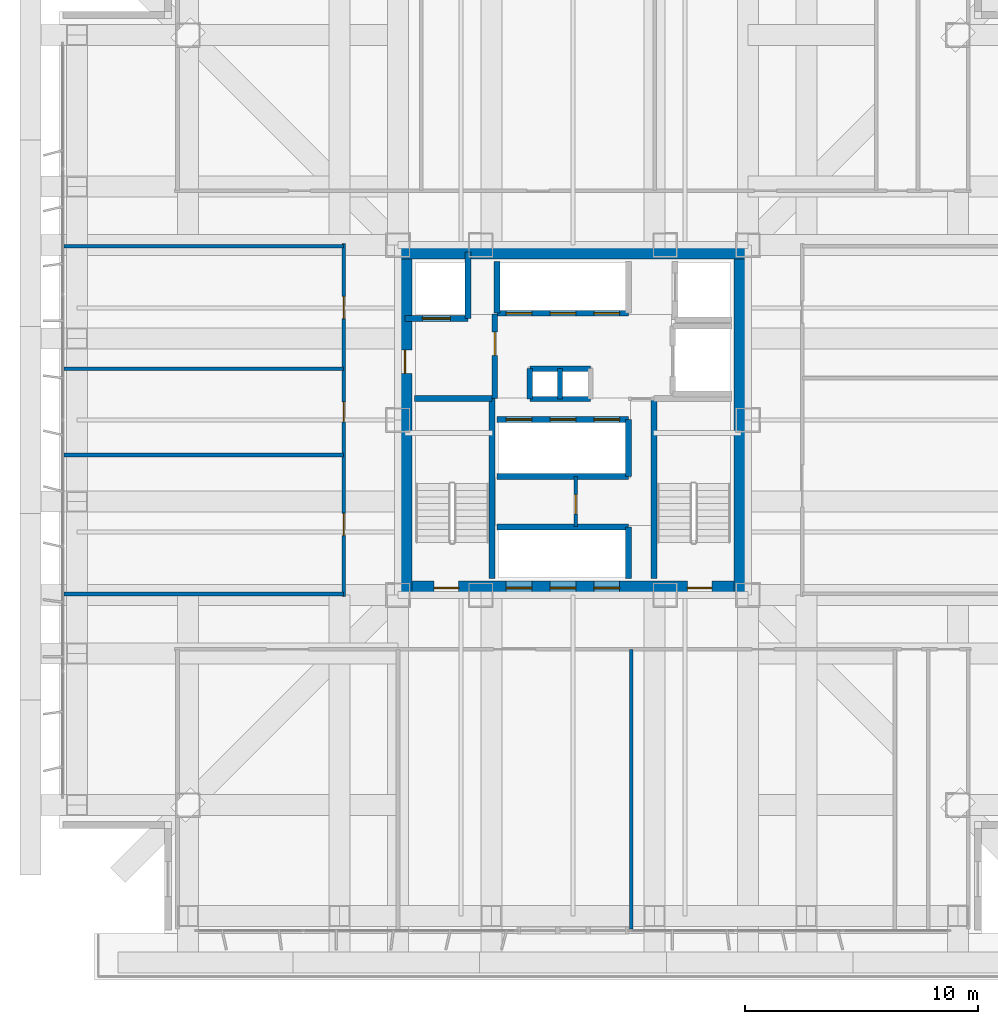
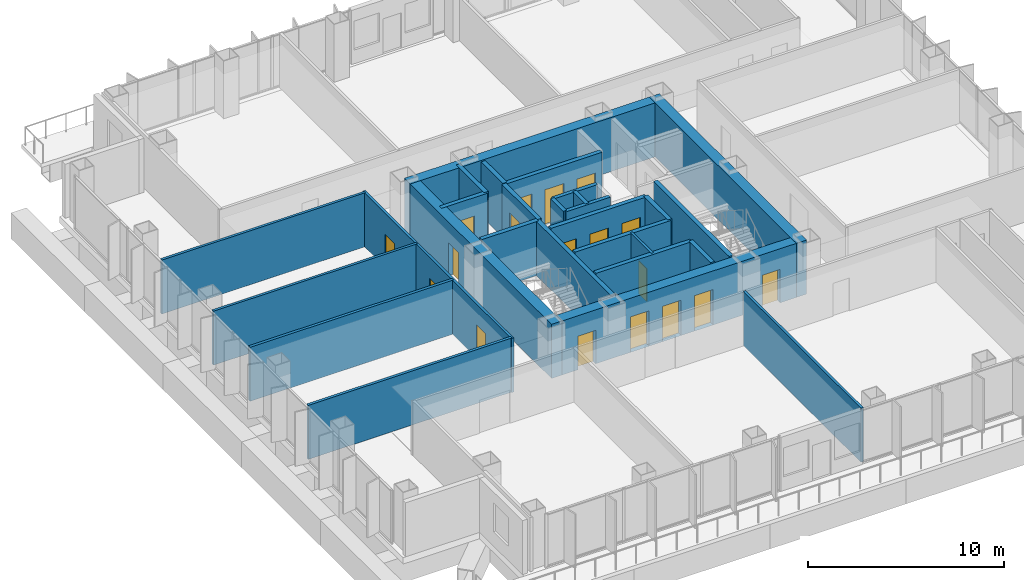
# One storey, part 12 of 17: 28 walls, 18 doors, 18 openings.
"""IFC4 building model written with IfcOpenShell, lengths in metres."""

from ifc_helpers import new_model, si_unit, direction, frame, frame_2d, origin, place, context, subcontext, project, spatial, rectangle, extrude, material, layer, layer_set, type_object, element, fill, save


model = new_model("IFC4")

# Units and contexts
model_context = context("Model", 3, precision=1e-05, world=origin(), true_north=direction((0.0, 1.0)))
body_context = subcontext(model_context, "Body", "Model", "MODEL_VIEW")
ifc_project = project(units=[si_unit("LENGTHUNIT", "METRE"), si_unit("AREAUNIT", "SQUARE_METRE"), si_unit("VOLUMEUNIT", "CUBIC_METRE"), si_unit("PLANEANGLEUNIT", "RADIAN"), si_unit("MASSUNIT", "GRAM", prefix="KILO")], contexts=[model_context])

# Site, building, storey
site_placement = place(None, origin())
site = spatial("IfcSite", under=ifc_project, at=site_placement, CompositionType="ELEMENT")
building_placement = place(site_placement, origin())
building = spatial("IfcBuilding", under=site, at=building_placement, Name="Trevonay Congress Spire", CompositionType="ELEMENT")
storey_placement = place(building_placement, frame((0.0, 0.0, 94.0)))
storey = spatial("IfcBuildingStorey", under=building, at=storey_placement, Name="L23", CompositionType="ELEMENT", Elevation=94.0)

# Wall, openings, doors
ifc_material_1 = material(Name="Concrete C60/75", Category="concrete")
ifc_layer_1 = layer(ifc_material_1, 0.60009765625, Name="Concrete C60/75")
ifc_layer_set_1 = layer_set([ifc_layer_1], Name="Concrete C60/75")
wall_type_1 = type_object("IfcWallType", Name="WAL-CORE-600", PredefinedType="SHEAR", material=ifc_layer_set_1)
wall_1_placement = place(storey_placement, frame((-7.5, -7.199951171875, 0.0), z_axis=(0.0, 0.0, 1.0), x_axis=(1.0, 0.0, 0.0)))
wall_1 = element("IfcWall", 1, at=wall_1_placement, inside=storey, type_object=wall_type_1, Name="L23 South structural core shear wall", PredefinedType="SHEAR", context=body_context, shape_type="SweptSolid", body=[
    extrude(rectangle(XDim=15.0, YDim=0.60009765625, at=frame_2d((7.5, 0.0))), origin(), (0.0, 0.0, 1.0), 3.360107421875),
])
opening_1_placement = place(wall_1_placement, frame((1.550048828125, 0.0, 0.0)))
opening_1 = element("IfcOpeningElement", 2, at=opening_1_placement, cuts=wall_1, Name="Opening D05", PredefinedType="OPENING", context=body_context, shape_type="SweptSolid", body=[
    extrude(rectangle(XDim=1.050048828125, YDim=2.080078125, at=frame_2d((0.52490234375, 1.0400390625))), frame((0.0, 0.31005859375, 0.0), z_axis=(0.0, -1.0, 0.0), x_axis=(1.0, 0.0, 0.0)), (0.0, 0.0, 1.0), 0.6201171875),
])
opening_2_placement = place(wall_1_placement, frame((12.39990234375, 0.0, 0.0)))
opening_2 = element("IfcOpeningElement", 3, at=opening_2_placement, cuts=wall_1, Name="Opening D05", PredefinedType="OPENING", context=body_context, shape_type="SweptSolid", body=[
    extrude(rectangle(XDim=1.050048828125, YDim=2.080078125, at=frame_2d((0.52490234375, 1.0400390625))), frame((0.0, 0.31005859375, 0.0), z_axis=(0.0, -1.0, 0.0), x_axis=(1.0, 0.0, 0.0)), (0.0, 0.0, 1.0), 0.6201171875),
])
opening_3_placement = place(wall_1_placement, frame((4.639892578125, 0.0, 0.0)))
opening_3 = element("IfcOpeningElement", 4, at=opening_3_placement, cuts=wall_1, Name="Opening LD01", PredefinedType="OPENING", context=body_context, shape_type="SweptSolid", body=[
    extrude(rectangle(XDim=1.10009765625, YDim=2.199951171875, at=frame_2d((0.550048828125, 1.10009765625))), frame((0.0, 0.31005859375, 0.0), z_axis=(0.0, -1.0, 0.0), x_axis=(1.0, 0.0, 0.0)), (0.0, 0.0, 1.0), 0.6201171875),
])
opening_4_placement = place(wall_1_placement, frame((6.52001953125, 0.0, 0.0)))
opening_4 = element("IfcOpeningElement", 5, at=opening_4_placement, cuts=wall_1, Name="Opening LD01", PredefinedType="OPENING", context=body_context, shape_type="SweptSolid", body=[
    extrude(rectangle(XDim=1.10009765625, YDim=2.199951171875, at=frame_2d((0.550048828125, 1.10009765625))), frame((0.0, 0.31005859375, 0.0), z_axis=(0.0, -1.0, 0.0), x_axis=(1.0, 0.0, 0.0)), (0.0, 0.0, 1.0), 0.6201171875),
])
opening_5_placement = place(wall_1_placement, frame((8.39990234375, 0.0, 0.0)))
opening_5 = element("IfcOpeningElement", 6, at=opening_5_placement, cuts=wall_1, Name="Opening LD01", PredefinedType="OPENING", context=body_context, shape_type="SweptSolid", body=[
    extrude(rectangle(XDim=1.10009765625, YDim=2.199951171875, at=frame_2d((0.550048828125, 1.10009765625))), frame((0.0, 0.31005859375, 0.0), z_axis=(0.0, -1.0, 0.0), x_axis=(1.0, 0.0, 0.0)), (0.0, 0.0, 1.0), 0.6201171875),
])
ifc_material_2 = material(Name="Pale Anodised Aluminium EN AW-6063-T6", Category="aluminium")
door_type_1 = type_object("IfcDoorType", Name="DOR-LIFT-LD01", OperationType="DOUBLE_DOOR_SLIDING", PredefinedType="DOOR", material=ifc_material_2)
door_1_placement = place(opening_3_placement, origin())
door_1 = element("IfcDoor", 7, at=door_1_placement, inside=storey, type_object=door_type_1, Name="L23 Passenger lift PL-01 landing door", OperationType="DOUBLE_DOOR_SLIDING", OverallHeight=2.199951171875, OverallWidth=1.10009765625, PredefinedType="DOOR", context=body_context, shape_type="SweptSolid", body=[
    extrude(rectangle(XDim=1.10009765625, YDim=2.199951171875, at=frame_2d((0.550048828125, 1.10009765625))), frame((0.0, 0.02490234375, 0.0), z_axis=(0.0, -1.0, 0.0), x_axis=(1.0, 0.0, 0.0)), (0.0, 0.0, 1.0), 0.050048828125),
])
fill(opening_3, door_1)
door_2_placement = place(opening_4_placement, origin())
door_2 = element("IfcDoor", 8, at=door_2_placement, inside=storey, type_object=door_type_1, Name="L23 Passenger lift PL-02 landing door", OperationType="DOUBLE_DOOR_SLIDING", OverallHeight=2.199951171875, OverallWidth=1.10009765625, PredefinedType="DOOR", context=body_context, shape_type="SweptSolid", body=[
    extrude(rectangle(XDim=1.10009765625, YDim=2.199951171875, at=frame_2d((0.550048828125, 1.10009765625))), frame((0.0, 0.02490234375, 0.0), z_axis=(0.0, -1.0, 0.0), x_axis=(1.0, 0.0, 0.0)), (0.0, 0.0, 1.0), 0.050048828125),
])
fill(opening_4, door_2)
door_3_placement = place(opening_5_placement, origin())
door_3 = element("IfcDoor", 9, at=door_3_placement, inside=storey, type_object=door_type_1, Name="L23 Passenger lift PL-03 landing door", OperationType="DOUBLE_DOOR_SLIDING", OverallHeight=2.199951171875, OverallWidth=1.10009765625, PredefinedType="DOOR", context=body_context, shape_type="SweptSolid", body=[
    extrude(rectangle(XDim=1.10009765625, YDim=2.199951171875, at=frame_2d((0.550048828125, 1.10009765625))), frame((0.0, 0.02490234375, 0.0), z_axis=(0.0, -1.0, 0.0), x_axis=(1.0, 0.0, 0.0)), (0.0, 0.0, 1.0), 0.050048828125),
])
fill(opening_5, door_3)
ifc_material_3 = material(Name="Steel ASTM A572 Grade 50", Category="steel")
door_type_2 = type_object("IfcDoorType", Name="DOR-STAIR-110", OperationType="NOTDEFINED", PredefinedType="DOOR", material=ifc_material_3)
door_4_placement = place(opening_1_placement, origin())
door_4 = element("IfcDoor", 10, at=door_4_placement, inside=storey, type_object=door_type_2, Name="L23 Protected Stair ST-1 Door", OperationType="SINGLE_SWING_LEFT", OverallHeight=2.080078125, OverallWidth=1.050048828125, PredefinedType="DOOR", context=body_context, shape_type="SweptSolid", body=[
    extrude(rectangle(XDim=1.050048828125, YDim=2.080078125, at=frame_2d((0.52490234375, 1.0400390625))), frame((0.0, 0.02490234375, 0.0), z_axis=(0.0, -1.0, 0.0), x_axis=(1.0, 0.0, 0.0)), (0.0, 0.0, 1.0), 0.050048828125),
])
fill(opening_1, door_4)
door_5_placement = place(opening_2_placement, origin())
door_5 = element("IfcDoor", 11, at=door_5_placement, inside=storey, type_object=door_type_2, Name="L23 Protected Stair ST-2 Door", OperationType="SINGLE_SWING_RIGHT", OverallHeight=2.080078125, OverallWidth=1.050048828125, PredefinedType="DOOR", context=body_context, shape_type="SweptSolid", body=[
    extrude(rectangle(XDim=1.050048828125, YDim=2.080078125, at=frame_2d((0.52490234375, 1.0400390625))), frame((0.0, 0.02490234375, 0.0), z_axis=(0.0, -1.0, 0.0), x_axis=(1.0, 0.0, 0.0)), (0.0, 0.0, 1.0), 0.050048828125),
])
fill(opening_2, door_5)

# Wall
wall_2_placement = place(storey_placement, frame((-7.5, 7.199951171875, 0.0), z_axis=(0.0, 0.0, 1.0), x_axis=(1.0, 0.0, 0.0)))
element("IfcWall", 12, at=wall_2_placement, inside=storey, type_object=wall_type_1, Name="L23 North structural core shear wall", PredefinedType="SHEAR", context=body_context, shape_type="SweptSolid", body=[
    extrude(rectangle(XDim=15.0, YDim=0.60009765625, at=frame_2d((7.5, 0.0))), origin(), (0.0, 0.0, 1.0), 3.360107421875),
])

# Wall, opening, door
wall_3_placement = place(storey_placement, frame((-7.199951171875, -7.5, 0.0), z_axis=(0.0, 0.0, 1.0), x_axis=(0.0, 1.0, 0.0)))
wall_3 = element("IfcWall", 13, at=wall_3_placement, inside=storey, type_object=wall_type_1, Name="L23 West structural core shear wall", PredefinedType="SHEAR", context=body_context, shape_type="SweptSolid", body=[
    extrude(rectangle(XDim=15.0, YDim=0.60009765625, at=frame_2d((7.5, 0.0))), origin(), (0.0, 0.0, 1.0), 3.360107421875),
])
opening_6_placement = place(wall_3_placement, frame((9.5, 0.0, 0.0)))
opening_6 = element("IfcOpeningElement", 14, at=opening_6_placement, cuts=wall_3, Name="Opening D06", PredefinedType="OPENING", context=body_context, shape_type="SweptSolid", body=[
    extrude(rectangle(XDim=1.0, YDim=2.080078125, at=frame_2d((0.5, 1.0400390625))), frame((0.0, 0.31005859375, 0.0), z_axis=(0.0, -1.0, 0.0), x_axis=(1.0, 0.0, 0.0)), (0.0, 0.0, 1.0), 0.6201171875),
])
door_type_3 = type_object("IfcDoorType", Name="DOR-FIRE-100", OperationType="NOTDEFINED", PredefinedType="DOOR", material=ifc_material_3)
door_6_placement = place(opening_6_placement, origin())
door_6 = element("IfcDoor", 15, at=door_6_placement, inside=storey, type_object=door_type_3, Name="L23 Firefighting Lift Lobby West Corridor Door", OperationType="SINGLE_SWING_LEFT", OverallHeight=2.080078125, OverallWidth=1.0, PredefinedType="DOOR", context=body_context, shape_type="SweptSolid", body=[
    extrude(rectangle(XDim=1.0, YDim=2.080078125, at=frame_2d((0.5, 1.0400390625))), frame((0.0, 0.02490234375, 0.0), z_axis=(0.0, -1.0, 0.0), x_axis=(1.0, 0.0, 0.0)), (0.0, 0.0, 1.0), 0.050048828125),
])
fill(opening_6, door_6)

# Wall
wall_4_placement = place(storey_placement, frame((7.199951171875, -7.5, 0.0), z_axis=(0.0, 0.0, 1.0), x_axis=(0.0, 1.0, 0.0)))
element("IfcWall", 16, at=wall_4_placement, inside=storey, type_object=wall_type_1, Name="L23 East structural core shear wall", PredefinedType="SHEAR", context=body_context, shape_type="SweptSolid", body=[
    extrude(rectangle(XDim=15.0, YDim=0.60009765625, at=frame_2d((7.5, 0.0))), origin(), (0.0, 0.0, 1.0), 3.360107421875),
])

# Wall, openings, doors
ifc_material_4 = material(Name="Concrete C40/50", Category="concrete")
ifc_layer_2 = layer(ifc_material_4, 0.14990234375, Name="Concrete C40/50")
ifc_layer_set_2 = layer_set([ifc_layer_2], Name="Concrete C40/50")
wall_type_2 = type_object("IfcWallType", Name="WAL-CORR-150", PredefinedType="PARTITIONING", material=ifc_layer_set_2)
wall_5_placement = place(storey_placement, frame((-9.830078125, -7.570068359375, 0.0), z_axis=(0.0, 0.0, 1.0), x_axis=(0.0, 1.0, 0.0)))
wall_5 = element("IfcWall", 17, at=wall_5_placement, inside=storey, type_object=wall_type_2, Name="L23 interior wall WP-L23W-COR", PredefinedType="PARTITIONING", context=body_context, shape_type="SweptSolid", body=[
    extrude(rectangle(XDim=15.14013671875, YDim=0.14990234375, at=frame_2d((7.570068359375, 0.0))), origin(), (0.0, 0.0, 1.0), 3.360107421875),
])
opening_7_placement = place(wall_5_placement, frame((2.6201171875, 0.0, 0.0)))
opening_7 = element("IfcOpeningElement", 18, at=opening_7_placement, cuts=wall_5, Name="Opening D07", PredefinedType="OPENING", context=body_context, shape_type="SweptSolid", body=[
    extrude(rectangle(XDim=0.949951171875, YDim=2.06005859375, at=frame_2d((0.47509765625, 1.030029296875))), frame((0.0, 0.0849609375, 0.0), z_axis=(0.0, -1.0, 0.0), x_axis=(1.0, 0.0, 0.0)), (0.0, 0.0, 1.0), 0.169921875),
])
opening_8_placement = place(wall_5_placement, frame((7.4951171875, 0.0, 0.0)))
opening_8 = element("IfcOpeningElement", 19, at=opening_8_placement, cuts=wall_5, Name="Opening D10", PredefinedType="OPENING", context=body_context, shape_type="SweptSolid", body=[
    extrude(rectangle(XDim=0.85009765625, YDim=2.050048828125, at=frame_2d((0.425048828125, 1.02490234375))), frame((0.0, 0.0849609375, 0.0), z_axis=(0.0, -1.0, 0.0), x_axis=(1.0, 0.0, 0.0)), (0.0, 0.0, 1.0), 0.169921875),
])
opening_9_placement = place(wall_5_placement, frame((11.919921875, 0.0, 0.0)))
opening_9 = element("IfcOpeningElement", 20, at=opening_9_placement, cuts=wall_5, Name="Opening D07", PredefinedType="OPENING", context=body_context, shape_type="SweptSolid", body=[
    extrude(rectangle(XDim=0.949951171875, YDim=2.06005859375, at=frame_2d((0.47509765625, 1.030029296875))), frame((0.0, 0.0849609375, 0.0), z_axis=(0.0, -1.0, 0.0), x_axis=(1.0, 0.0, 0.0)), (0.0, 0.0, 1.0), 0.169921875),
])
door_type_4 = type_object("IfcDoorType", Name="DOR-OFFICE-95", OperationType="NOTDEFINED", PredefinedType="DOOR", material=ifc_material_2)
door_7_placement = place(opening_7_placement, origin())
door_7 = element("IfcDoor", 21, at=door_7_placement, inside=storey, type_object=door_type_4, Name="L23 Accreditation Desk Hall Door", OperationType="SINGLE_SWING_LEFT", OverallHeight=2.06005859375, OverallWidth=0.949951171875, PredefinedType="DOOR", context=body_context, shape_type="SweptSolid", body=[
    extrude(rectangle(XDim=0.949951171875, YDim=2.06005859375, at=frame_2d((0.47509765625, 1.030029296875))), frame((0.0, 0.02490234375, 0.0), z_axis=(0.0, -1.0, 0.0), x_axis=(1.0, 0.0, 0.0)), (0.0, 0.0, 1.0), 0.050048828125),
])
fill(opening_7, door_7)
door_8_placement = place(opening_9_placement, origin())
door_8 = element("IfcDoor", 22, at=door_8_placement, inside=storey, type_object=door_type_4, Name="L23 Luggage Room Door", OperationType="SINGLE_SWING_LEFT", OverallHeight=2.06005859375, OverallWidth=0.949951171875, PredefinedType="DOOR", context=body_context, shape_type="SweptSolid", body=[
    extrude(rectangle(XDim=0.949951171875, YDim=2.06005859375, at=frame_2d((0.47509765625, 1.030029296875))), frame((0.0, 0.02490234375, 0.0), z_axis=(0.0, -1.0, 0.0), x_axis=(1.0, 0.0, 0.0)), (0.0, 0.0, 1.0), 0.050048828125),
])
fill(opening_9, door_8)
door_type_5 = type_object("IfcDoorType", Name="DOR-WC-85", OperationType="NOTDEFINED", PredefinedType="DOOR", material=ifc_material_2)
door_9_placement = place(opening_8_placement, origin())
door_9 = element("IfcDoor", 23, at=door_9_placement, inside=storey, type_object=door_type_5, Name="L23 Male Restroom WC Door", OperationType="SINGLE_SWING_RIGHT", OverallHeight=2.050048828125, OverallWidth=0.85009765625, PredefinedType="DOOR", context=body_context, shape_type="SweptSolid", body=[
    extrude(rectangle(XDim=0.85009765625, YDim=2.050048828125, at=frame_2d((0.425048828125, 1.02490234375))), frame((0.0, 0.02490234375, 0.0), z_axis=(0.0, -1.0, 0.0), x_axis=(1.0, 0.0, 0.0)), (0.0, 0.0, 1.0), 0.050048828125),
])
fill(opening_8, door_9)

# Wall, opening, door
ifc_layer_3 = layer(ifc_material_4, 0.14990234375, Name="Concrete C40/50")
ifc_layer_set_3 = layer_set([ifc_layer_3], Name="Concrete C40/50")
wall_type_3 = type_object("IfcWallType", Name="WAL-PART-150", PredefinedType="PARTITIONING", material=ifc_layer_set_3)
wall_6_placement = place(storey_placement, frame((0.1201171875, -4.570068359375, 0.0), z_axis=(0.0, 0.0, 1.0), x_axis=(0.0, 1.0, 0.0)))
wall_6 = element("IfcWall", 24, at=wall_6_placement, inside=storey, type_object=wall_type_3, Name="L23 interior wall CW-K1-L23", PredefinedType="PARTITIONING", context=body_context, shape_type="SweptSolid", body=[
    extrude(rectangle(XDim=2.14013671875, YDim=0.14990234375, at=frame_2d((1.070068359375, 0.0))), origin(), (0.0, 0.0, 1.0), 3.360107421875),
])
opening_10_placement = place(wall_6_placement, frame((0.550048828125, 0.0, 0.0)))
opening_10 = element("IfcOpeningElement", 25, at=opening_10_placement, cuts=wall_6, Name="Opening D13", PredefinedType="OPENING", context=body_context, shape_type="SweptSolid", body=[
    extrude(rectangle(XDim=0.820068359375, YDim=2.050048828125, at=frame_2d((0.41015625, 1.02490234375))), frame((0.0, 0.0849609375, 0.0), z_axis=(0.0, -1.0, 0.0), x_axis=(1.0, 0.0, 0.0)), (0.0, 0.0, 1.0), 0.169921875),
])
door_type_6 = type_object("IfcDoorType", Name="DOR-UTIL-80", OperationType="NOTDEFINED", PredefinedType="DOOR", material=ifc_material_3)
door_10_placement = place(opening_10_placement, origin())
door_10 = element("IfcDoor", 26, at=door_10_placement, inside=storey, type_object=door_type_6, Name="L23 Core Closet Door", OperationType="SINGLE_SWING_RIGHT", OverallHeight=2.050048828125, OverallWidth=0.820068359375, PredefinedType="DOOR", context=body_context, shape_type="SweptSolid", body=[
    extrude(rectangle(XDim=0.820068359375, YDim=2.050048828125, at=frame_2d((0.41015625, 1.02490234375))), frame((0.0, 0.02490234375, 0.0), z_axis=(0.0, -1.0, 0.0), x_axis=(1.0, 0.0, 0.0)), (0.0, 0.0, 1.0), 0.050048828125),
])
fill(opening_10, door_10)

# Walls
for number, where, z_axis, x_axis, name in (
    (27, (2.5, -21.820068359375, 0.0), (0.0, 0.0, 1.0), (0.0, 1.0, 0.0), "L23 interior wall WP-L23S-DIV3"),
    (28, (-21.820068359375, 2.199951171875, 0.0), (0.0, 0.0, 1.0), (1.0, 0.0, 0.0), "L23 interior wall WP-L23W-DIV3"),
    (29, (-21.820068359375, 7.449951171875, 0.0), (0.0, 0.0, 1.0), (1.0, 0.0, 0.0), "L23 interior wall WP-L23W-DIV4"),
):
    element("IfcWall", number, at=place(storey_placement, frame(where, z_axis=z_axis, x_axis=x_axis)), inside=storey, type_object=wall_type_3, Name=name, PredefinedType="PARTITIONING", context=body_context, shape_type="SweptSolid", body=[
        extrude(rectangle(XDim=11.989990234375, YDim=0.14990234375, at=frame_2d((5.9951171875, 0.0))), origin(), (0.0, 0.0, 1.0), 3.360107421875),
    ])
ifc_layer_4 = layer(ifc_material_4, 0.219970703125, Name="Concrete C40/50")
ifc_layer_set_4 = layer_set([ifc_layer_4], Name="Concrete C40/50")
wall_type_4 = type_object("IfcWallType", Name="WAL-SHAFT-220", PredefinedType="PARTITIONING", material=ifc_layer_set_4)
for number, where, z_axis, x_axis, name in (
    (30, (-1.85009765625, 2.199951171875, 0.0), (0.0, 0.0, 1.0), (1.0, 0.0, 0.0), "L23 interior shaft wall WSH-L23-RSR-N"),
    (31, (-1.85009765625, 0.89990234375, 0.0), (0.0, 0.0, 1.0), (1.0, 0.0, 0.0), "L23 interior shaft wall WSH-L23-RSR-S"),
):
    element("IfcWall", number, at=place(storey_placement, frame(where, z_axis=z_axis, x_axis=x_axis)), inside=storey, type_object=wall_type_4, Name=name, PredefinedType="PARTITIONING", context=body_context, shape_type="SweptSolid", body=[
        extrude(rectangle(XDim=2.60009765625, YDim=0.219970703125, at=frame_2d((1.300048828125, 0.0))), origin(), (0.0, 0.0, 1.0), 3.360107421875),
    ])
for number, where, z_axis, x_axis, name in (
    (32, (-0.550048828125, 0.89990234375, 0.0), (0.0, 0.0, 1.0), (0.0, 1.0, 0.0), "L23 interior shaft wall WSH-L23-RSR-M"),
    (33, (-1.85009765625, 0.89990234375, 0.0), (0.0, 0.0, 1.0), (0.0, 1.0, 0.0), "L23 interior shaft wall WSH-L23-RSR-W"),
):
    element("IfcWall", number, at=place(storey_placement, frame(where, z_axis=z_axis, x_axis=x_axis)), inside=storey, type_object=wall_type_4, Name=name, PredefinedType="PARTITIONING", context=body_context, shape_type="SweptSolid", body=[
        extrude(rectangle(XDim=1.300048828125, YDim=0.219970703125, at=frame_2d((0.64990234375, 0.0))), origin(), (0.0, 0.0, 1.0), 3.360107421875),
    ])
ifc_layer_5 = layer(ifc_material_4, 0.25, Name="Concrete C40/50")
ifc_layer_set_5 = layer_set([ifc_layer_5], Name="Concrete C40/50")
wall_type_5 = type_object("IfcWallType", Name="WAL-SHAFT-250", PredefinedType="SHEAR", material=ifc_layer_set_5)
wall_7_placement = place(storey_placement, frame((-3.260009765625, -4.580078125, 0.0), z_axis=(0.0, 0.0, 1.0), x_axis=(1.0, 0.0, 0.0)))
element("IfcWall", 34, at=wall_7_placement, inside=storey, type_object=wall_type_5, Name="L23 interior shaft wall WSH-L23-B1-N", PredefinedType="SHEAR", context=body_context, shape_type="SweptSolid", body=[
    extrude(rectangle(XDim=5.639892578125, YDim=0.25, at=frame_2d((2.81982421875, 0.0))), origin(), (0.0, 0.0, 1.0), 3.360107421875),
])
wall_8_placement = place(storey_placement, frame((2.3798828125, -6.800048828125, 0.0), z_axis=(0.0, 0.0, 1.0), x_axis=(0.0, 1.0, 0.0)))
element("IfcWall", 35, at=wall_8_placement, inside=storey, type_object=wall_type_5, Name="L23 interior shaft wall WSH-L23-B1-E", PredefinedType="SHEAR", context=body_context, shape_type="SweptSolid", body=[
    extrude(rectangle(XDim=2.219970703125, YDim=0.25, at=frame_2d((1.10986328125, 0.0))), origin(), (0.0, 0.0, 1.0), 3.360107421875),
])

# Wall, openings, doors
wall_9_placement = place(storey_placement, frame((-3.260009765625, 0.02001953125, 0.0), z_axis=(0.0, 0.0, 1.0), x_axis=(1.0, 0.0, 0.0)))
wall_9 = element("IfcWall", 36, at=wall_9_placement, inside=storey, type_object=wall_type_5, Name="L23 interior shaft wall WSH-L23-B2-N", PredefinedType="SHEAR", context=body_context, shape_type="SweptSolid", body=[
    extrude(rectangle(XDim=5.639892578125, YDim=0.25, at=frame_2d((2.81982421875, 0.0))), origin(), (0.0, 0.0, 1.0), 3.360107421875),
])
opening_11_placement = place(wall_9_placement, frame((0.39990234375, 0.0, 0.0)))
opening_11 = element("IfcOpeningElement", 37, at=opening_11_placement, cuts=wall_9, Name="Opening LD02", PredefinedType="OPENING", context=body_context, shape_type="SweptSolid", body=[
    extrude(rectangle(XDim=1.10009765625, YDim=2.199951171875, at=frame_2d((0.550048828125, 1.10009765625))), frame((0.0, 0.135009765625, 0.0), z_axis=(0.0, -1.0, 0.0), x_axis=(1.0, 0.0, 0.0)), (0.0, 0.0, 1.0), 0.27001953125),
])
opening_12_placement = place(wall_9_placement, frame((2.280029296875, 0.0, 0.0)))
opening_12 = element("IfcOpeningElement", 38, at=opening_12_placement, cuts=wall_9, Name="Opening LD02", PredefinedType="OPENING", context=body_context, shape_type="SweptSolid", body=[
    extrude(rectangle(XDim=1.10009765625, YDim=2.199951171875, at=frame_2d((0.550048828125, 1.10009765625))), frame((0.0, 0.135009765625, 0.0), z_axis=(0.0, -1.0, 0.0), x_axis=(1.0, 0.0, 0.0)), (0.0, 0.0, 1.0), 0.27001953125),
])
opening_13_placement = place(wall_9_placement, frame((4.159912109375, 0.0, 0.0)))
opening_13 = element("IfcOpeningElement", 39, at=opening_13_placement, cuts=wall_9, Name="Opening LD02", PredefinedType="OPENING", context=body_context, shape_type="SweptSolid", body=[
    extrude(rectangle(XDim=1.10009765625, YDim=2.199951171875, at=frame_2d((0.550048828125, 1.10009765625))), frame((0.0, 0.135009765625, 0.0), z_axis=(0.0, -1.0, 0.0), x_axis=(1.0, 0.0, 0.0)), (0.0, 0.0, 1.0), 0.27001953125),
])
door_type_7 = type_object("IfcDoorType", Name="DOR-LIFT-LD02", OperationType="DOUBLE_DOOR_SLIDING", PredefinedType="DOOR", material=ifc_material_2)
door_11_placement = place(opening_11_placement, origin())
door_11 = element("IfcDoor", 40, at=door_11_placement, inside=storey, type_object=door_type_7, Name="L23 Passenger lift PL-04 landing door", OperationType="DOUBLE_DOOR_SLIDING", OverallHeight=2.199951171875, OverallWidth=1.10009765625, PredefinedType="DOOR", context=body_context, shape_type="SweptSolid", body=[
    extrude(rectangle(XDim=1.10009765625, YDim=2.199951171875, at=frame_2d((0.550048828125, 1.10009765625))), frame((0.0, 0.02490234375, 0.0), z_axis=(0.0, -1.0, 0.0), x_axis=(1.0, 0.0, 0.0)), (0.0, 0.0, 1.0), 0.050048828125),
])
fill(opening_11, door_11)
door_12_placement = place(opening_12_placement, origin())
door_12 = element("IfcDoor", 41, at=door_12_placement, inside=storey, type_object=door_type_7, Name="L23 Passenger lift PL-05 landing door", OperationType="DOUBLE_DOOR_SLIDING", OverallHeight=2.199951171875, OverallWidth=1.10009765625, PredefinedType="DOOR", context=body_context, shape_type="SweptSolid", body=[
    extrude(rectangle(XDim=1.10009765625, YDim=2.199951171875, at=frame_2d((0.550048828125, 1.10009765625))), frame((0.0, 0.02490234375, 0.0), z_axis=(0.0, -1.0, 0.0), x_axis=(1.0, 0.0, 0.0)), (0.0, 0.0, 1.0), 0.050048828125),
])
fill(opening_12, door_12)
door_13_placement = place(opening_13_placement, origin())
door_13 = element("IfcDoor", 42, at=door_13_placement, inside=storey, type_object=door_type_7, Name="L23 Passenger lift PL-06 landing door", OperationType="DOUBLE_DOOR_SLIDING", OverallHeight=2.199951171875, OverallWidth=1.10009765625, PredefinedType="DOOR", context=body_context, shape_type="SweptSolid", body=[
    extrude(rectangle(XDim=1.10009765625, YDim=2.199951171875, at=frame_2d((0.550048828125, 1.10009765625))), frame((0.0, 0.02490234375, 0.0), z_axis=(0.0, -1.0, 0.0), x_axis=(1.0, 0.0, 0.0)), (0.0, 0.0, 1.0), 0.050048828125),
])
fill(opening_13, door_13)

# Walls
wall_10_placement = place(storey_placement, frame((-3.260009765625, -2.419921875, 0.0), z_axis=(0.0, 0.0, 1.0), x_axis=(1.0, 0.0, 0.0)))
element("IfcWall", 43, at=wall_10_placement, inside=storey, type_object=wall_type_5, Name="L23 interior shaft wall WSH-L23-B2-S", PredefinedType="SHEAR", context=body_context, shape_type="SweptSolid", body=[
    extrude(rectangle(XDim=5.639892578125, YDim=0.25, at=frame_2d((2.81982421875, 0.0))), origin(), (0.0, 0.0, 1.0), 3.360107421875),
])
wall_11_placement = place(storey_placement, frame((2.3798828125, -2.419921875, 0.0), z_axis=(0.0, 0.0, 1.0), x_axis=(0.0, 1.0, 0.0)))
element("IfcWall", 44, at=wall_11_placement, inside=storey, type_object=wall_type_5, Name="L23 interior shaft wall WSH-L23-B2-E", PredefinedType="SHEAR", context=body_context, shape_type="SweptSolid", body=[
    extrude(rectangle(XDim=2.43994140625, YDim=0.25, at=frame_2d((1.219970703125, 0.0))), origin(), (0.0, 0.0, 1.0), 3.360107421875),
])

# Wall, openings, doors
wall_12_placement = place(storey_placement, frame((-3.260009765625, 4.580078125, 0.0), z_axis=(0.0, 0.0, 1.0), x_axis=(1.0, 0.0, 0.0)))
wall_12 = element("IfcWall", 45, at=wall_12_placement, inside=storey, type_object=wall_type_5, Name="L23 interior shaft wall WSH-L23-B3-S", PredefinedType="SHEAR", context=body_context, shape_type="SweptSolid", body=[
    extrude(rectangle(XDim=5.639892578125, YDim=0.25, at=frame_2d((2.81982421875, 0.0))), origin(), (0.0, 0.0, 1.0), 3.360107421875),
])
opening_14_placement = place(wall_12_placement, frame((0.39990234375, 0.0, 0.0)))
opening_14 = element("IfcOpeningElement", 46, at=opening_14_placement, cuts=wall_12, Name="Opening LD03", PredefinedType="OPENING", context=body_context, shape_type="SweptSolid", body=[
    extrude(rectangle(XDim=1.10009765625, YDim=2.199951171875, at=frame_2d((0.550048828125, 1.10009765625))), frame((0.0, 0.135009765625, 0.0), z_axis=(0.0, -1.0, 0.0), x_axis=(1.0, 0.0, 0.0)), (0.0, 0.0, 1.0), 0.27001953125),
])
opening_15_placement = place(wall_12_placement, frame((2.280029296875, 0.0, 0.0)))
opening_15 = element("IfcOpeningElement", 47, at=opening_15_placement, cuts=wall_12, Name="Opening LD03", PredefinedType="OPENING", context=body_context, shape_type="SweptSolid", body=[
    extrude(rectangle(XDim=1.10009765625, YDim=2.199951171875, at=frame_2d((0.550048828125, 1.10009765625))), frame((0.0, 0.135009765625, 0.0), z_axis=(0.0, -1.0, 0.0), x_axis=(1.0, 0.0, 0.0)), (0.0, 0.0, 1.0), 0.27001953125),
])
opening_16_placement = place(wall_12_placement, frame((4.159912109375, 0.0, 0.0)))
opening_16 = element("IfcOpeningElement", 48, at=opening_16_placement, cuts=wall_12, Name="Opening LD03", PredefinedType="OPENING", context=body_context, shape_type="SweptSolid", body=[
    extrude(rectangle(XDim=1.10009765625, YDim=2.199951171875, at=frame_2d((0.550048828125, 1.10009765625))), frame((0.0, 0.135009765625, 0.0), z_axis=(0.0, -1.0, 0.0), x_axis=(1.0, 0.0, 0.0)), (0.0, 0.0, 1.0), 0.27001953125),
])
door_type_8 = type_object("IfcDoorType", Name="DOR-LIFT-LD03", OperationType="DOUBLE_DOOR_SLIDING", PredefinedType="DOOR", material=ifc_material_2)
door_14_placement = place(opening_14_placement, origin())
door_14 = element("IfcDoor", 49, at=door_14_placement, inside=storey, type_object=door_type_8, Name="L23 Passenger lift PL-07 landing door", OperationType="DOUBLE_DOOR_SLIDING", OverallHeight=2.199951171875, OverallWidth=1.10009765625, PredefinedType="DOOR", context=body_context, shape_type="SweptSolid", body=[
    extrude(rectangle(XDim=1.10009765625, YDim=2.199951171875, at=frame_2d((0.550048828125, 1.10009765625))), frame((0.0, 0.02490234375, 0.0), z_axis=(0.0, -1.0, 0.0), x_axis=(1.0, 0.0, 0.0)), (0.0, 0.0, 1.0), 0.050048828125),
])
fill(opening_14, door_14)
door_15_placement = place(opening_15_placement, origin())
door_15 = element("IfcDoor", 50, at=door_15_placement, inside=storey, type_object=door_type_8, Name="L23 Passenger lift PL-08 landing door", OperationType="DOUBLE_DOOR_SLIDING", OverallHeight=2.199951171875, OverallWidth=1.10009765625, PredefinedType="DOOR", context=body_context, shape_type="SweptSolid", body=[
    extrude(rectangle(XDim=1.10009765625, YDim=2.199951171875, at=frame_2d((0.550048828125, 1.10009765625))), frame((0.0, 0.02490234375, 0.0), z_axis=(0.0, -1.0, 0.0), x_axis=(1.0, 0.0, 0.0)), (0.0, 0.0, 1.0), 0.050048828125),
])
fill(opening_15, door_15)
door_16_placement = place(opening_16_placement, origin())
door_16 = element("IfcDoor", 51, at=door_16_placement, inside=storey, type_object=door_type_8, Name="L23 Passenger lift PL-09 landing door", OperationType="DOUBLE_DOOR_SLIDING", OverallHeight=2.199951171875, OverallWidth=1.10009765625, PredefinedType="DOOR", context=body_context, shape_type="SweptSolid", body=[
    extrude(rectangle(XDim=1.10009765625, YDim=2.199951171875, at=frame_2d((0.550048828125, 1.10009765625))), frame((0.0, 0.02490234375, 0.0), z_axis=(0.0, -1.0, 0.0), x_axis=(1.0, 0.0, 0.0)), (0.0, 0.0, 1.0), 0.050048828125),
])
fill(opening_16, door_16)

# Wall
wall_13_placement = place(storey_placement, frame((-3.260009765625, 4.580078125, 0.0), z_axis=(0.0, 0.0, 1.0), x_axis=(0.0, 1.0, 0.0)))
element("IfcWall", 52, at=wall_13_placement, inside=storey, type_object=wall_type_5, Name="L23 interior shaft wall WSH-L23-B3-W", PredefinedType="SHEAR", context=body_context, shape_type="SweptSolid", body=[
    extrude(rectangle(XDim=2.219970703125, YDim=0.25, at=frame_2d((1.10986328125, 0.0))), origin(), (0.0, 0.0, 1.0), 3.360107421875),
])

# Wall, opening, door
wall_14_placement = place(storey_placement, frame((-7.199951171875, 4.35009765625, 0.0), z_axis=(0.0, 0.0, 1.0), x_axis=(1.0, 0.0, 0.0)))
wall_14 = element("IfcWall", 53, at=wall_14_placement, inside=storey, type_object=wall_type_5, Name="L23 interior shaft wall WSH-L23-FF1-S", PredefinedType="SHEAR", context=body_context, shape_type="SweptSolid", body=[
    extrude(rectangle(XDim=2.699951171875, YDim=0.25, at=frame_2d((1.35009765625, 0.0))), origin(), (0.0, 0.0, 1.0), 3.360107421875),
])
opening_17_placement = place(wall_14_placement, frame((0.75, 0.0, 0.0)))
opening_17 = element("IfcOpeningElement", 54, at=opening_17_placement, cuts=wall_14, Name="Opening LD04", PredefinedType="OPENING", context=body_context, shape_type="SweptSolid", body=[
    extrude(rectangle(XDim=1.199951171875, YDim=2.199951171875, at=frame_2d((0.60009765625, 1.10009765625))), frame((0.0, 0.135009765625, 0.0), z_axis=(0.0, -1.0, 0.0), x_axis=(1.0, 0.0, 0.0)), (0.0, 0.0, 1.0), 0.27001953125),
])
door_type_9 = type_object("IfcDoorType", Name="DOR-LIFT-LD04", OperationType="DOUBLE_DOOR_SLIDING", PredefinedType="DOOR", material=ifc_material_3)
door_17_placement = place(opening_17_placement, origin())
door_17 = element("IfcDoor", 55, at=door_17_placement, inside=storey, type_object=door_type_9, Name="L23 Firefighting lift FFL-01 landing door", OperationType="DOUBLE_DOOR_SLIDING", OverallHeight=2.199951171875, OverallWidth=1.199951171875, PredefinedType="DOOR", context=body_context, shape_type="SweptSolid", body=[
    extrude(rectangle(XDim=1.199951171875, YDim=2.199951171875, at=frame_2d((0.60009765625, 1.10009765625))), frame((0.0, 0.02490234375, 0.0), z_axis=(0.0, -1.0, 0.0), x_axis=(1.0, 0.0, 0.0)), (0.0, 0.0, 1.0), 0.050048828125),
])
fill(opening_17, door_17)

# Wall
wall_15_placement = place(storey_placement, frame((-4.5, 4.35009765625, 0.0), z_axis=(0.0, 0.0, 1.0), x_axis=(0.0, 1.0, 0.0)))
element("IfcWall", 56, at=wall_15_placement, inside=storey, type_object=wall_type_5, Name="L23 interior shaft wall WSH-L23-FF1-E", PredefinedType="SHEAR", context=body_context, shape_type="SweptSolid", body=[
    extrude(rectangle(XDim=2.849853515625, YDim=0.25, at=frame_2d((1.4248046875, 0.0))), origin(), (0.0, 0.0, 1.0), 3.360107421875),
])

# Wall, opening, door
wall_16_placement = place(storey_placement, frame((-3.35009765625, 0.919921875, 0.0), z_axis=(0.0, 0.0, 1.0), x_axis=(0.0, 1.0, 0.0)))
wall_16 = element("IfcWall", 57, at=wall_16_placement, inside=storey, type_object=wall_type_5, Name="L23 interior wall CW-FFLW-E-L23", PredefinedType="SHEAR", context=body_context, shape_type="SweptSolid", body=[
    extrude(rectangle(XDim=3.6201171875, YDim=0.25, at=frame_2d((1.81005859375, 0.0))), origin(), (0.0, 0.0, 1.0), 3.360107421875),
])
opening_18_placement = place(wall_16_placement, frame((1.85009765625, 0.0, 0.0)))
opening_18 = element("IfcOpeningElement", 58, at=opening_18_placement, cuts=wall_16, Name="Opening D06", PredefinedType="OPENING", context=body_context, shape_type="SweptSolid", body=[
    extrude(rectangle(XDim=1.0, YDim=2.080078125, at=frame_2d((0.5, 1.0400390625))), frame((0.0, 0.135009765625, 0.0), z_axis=(0.0, -1.0, 0.0), x_axis=(1.0, 0.0, 0.0)), (0.0, 0.0, 1.0), 0.27001953125),
])
door_18_placement = place(opening_18_placement, origin())
door_18 = element("IfcDoor", 59, at=door_18_placement, inside=storey, type_object=door_type_3, Name="L23 Firefighting Core Lobby Transfer Door", OperationType="SINGLE_SWING_RIGHT", OverallHeight=2.080078125, OverallWidth=1.0, PredefinedType="DOOR", context=body_context, shape_type="SweptSolid", body=[
    extrude(rectangle(XDim=1.0, YDim=2.080078125, at=frame_2d((0.5, 1.0400390625))), frame((0.0, 0.02490234375, 0.0), z_axis=(0.0, -1.0, 0.0), x_axis=(1.0, 0.0, 0.0)), (0.0, 0.0, 1.0), 0.050048828125),
])
fill(opening_18, door_18)

# Walls
ifc_layer_6 = layer(ifc_material_4, 0.25, Name="Concrete C40/50")
ifc_layer_set_6 = layer_set([ifc_layer_6], Name="Concrete C40/50")
wall_type_6 = type_object("IfcWallType", Name="WAL-SHAFT-LB-250", PredefinedType="SHEAR", material=ifc_layer_set_6)
wall_17_placement = place(storey_placement, frame((-3.469970703125, -6.800048828125, 0.0), z_axis=(0.0, 0.0, 1.0), x_axis=(0.0, 1.0, 0.0)))
element("IfcWall", 60, at=wall_17_placement, inside=storey, type_object=wall_type_6, Name="L23 interior shaft wall WSH-L23-ST1-E", PredefinedType="SHEAR", context=body_context, shape_type="SweptSolid", body=[
    extrude(rectangle(XDim=7.719970703125, YDim=0.25, at=frame_2d((3.85986328125, 0.0))), origin(), (0.0, 0.0, 1.0), 3.360107421875),
])
wall_18_placement = place(storey_placement, frame((-6.800048828125, 0.919921875, 0.0), z_axis=(0.0, 0.0, 1.0), x_axis=(1.0, 0.0, 0.0)))
element("IfcWall", 61, at=wall_18_placement, inside=storey, type_object=wall_type_6, Name="L23 interior shaft wall WSH-L23-ST1-N", PredefinedType="SHEAR", context=body_context, shape_type="SweptSolid", body=[
    extrude(rectangle(XDim=3.330078125, YDim=0.25, at=frame_2d((1.6650390625, 0.0))), origin(), (0.0, 0.0, 1.0), 3.360107421875),
])
wall_19_placement = place(storey_placement, frame((3.469970703125, -6.800048828125, 0.0), z_axis=(0.0, 0.0, 1.0), x_axis=(0.0, 1.0, 0.0)))
element("IfcWall", 62, at=wall_19_placement, inside=storey, type_object=wall_type_6, Name="L23 interior shaft wall WSH-L23-ST2-W", PredefinedType="SHEAR", context=body_context, shape_type="SweptSolid", body=[
    extrude(rectangle(XDim=7.719970703125, YDim=0.25, at=frame_2d((3.85986328125, 0.0))), origin(), (0.0, 0.0, 1.0), 3.360107421875),
])
ifc_layer_7 = layer(ifc_material_4, 0.1650390625, Name="Concrete C40/50")
ifc_layer_set_7 = layer_set([ifc_layer_7], Name="Concrete C40/50")
wall_type_7 = type_object("IfcWallType", Name="WAL-WET-165", PredefinedType="PLUMBINGWALL", material=ifc_layer_set_7)
for number, where, z_axis, x_axis, name in (
    (63, (-21.820068359375, -7.449951171875, 0.0), (0.0, 0.0, 1.0), (1.0, 0.0, 0.0), "L23 interior wall WP-L23W-DIV1"),
    (64, (-21.820068359375, -1.5, 0.0), (0.0, 0.0, 1.0), (1.0, 0.0, 0.0), "L23 interior wall WP-L23W-DIV2"),
):
    element("IfcWall", number, at=place(storey_placement, frame(where, z_axis=z_axis, x_axis=x_axis)), inside=storey, type_object=wall_type_7, Name=name, PredefinedType="PLUMBINGWALL", context=body_context, shape_type="SweptSolid", body=[
        extrude(rectangle(XDim=11.989990234375, YDim=0.1650390625, at=frame_2d((5.9951171875, 0.0))), origin(), (0.0, 0.0, 1.0), 3.360107421875),
    ])

save(model, "model.ifc")
